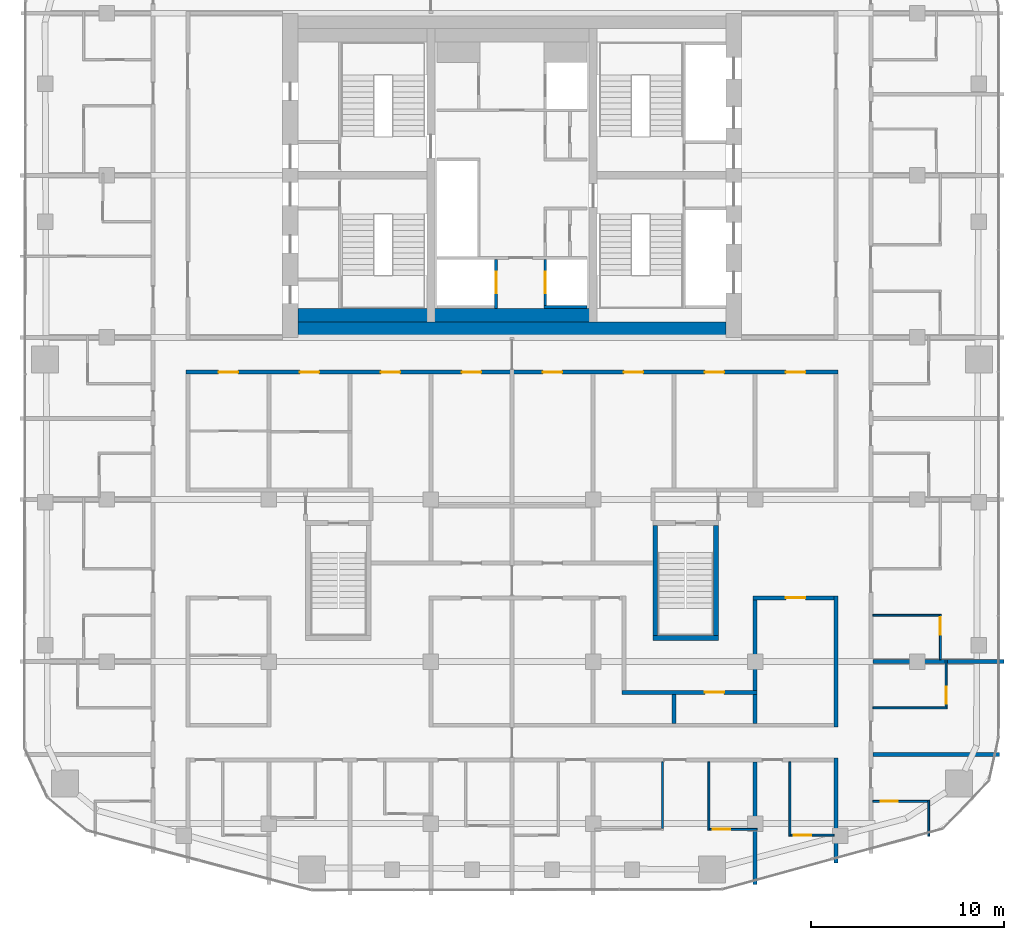
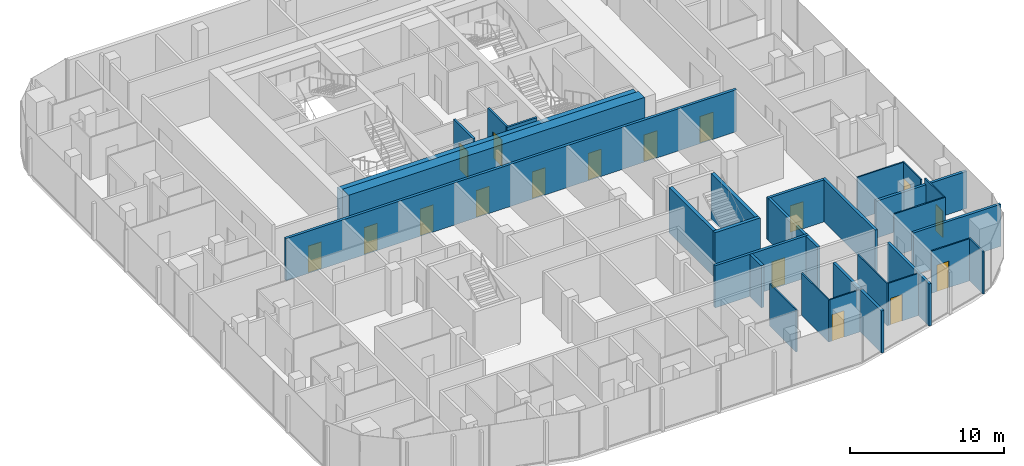
# One storey, part 16 of 22: 30 walls, 17 doors, 17 openings.
"""IFC4 building model written with IfcOpenShell, lengths in metres."""

from ifc_helpers import new_model, si_unit, direction, frame, frame_2d, origin, place, context, subcontext, project, spatial, rectangle, extrude, material, layer, layer_set, type_object, element, fill, save


model = new_model("IFC4")

# Units and contexts
model_context = context("Model", 3, precision=1e-05, world=origin(), true_north=direction((0.0, 1.0)))
body_context = subcontext(model_context, "Body", "Model", "MODEL_VIEW")
ifc_project = project(units=[si_unit("LENGTHUNIT", "METRE"), si_unit("AREAUNIT", "SQUARE_METRE"), si_unit("VOLUMEUNIT", "CUBIC_METRE"), si_unit("PLANEANGLEUNIT", "RADIAN"), si_unit("MASSUNIT", "GRAM", prefix="KILO")], contexts=[model_context])

# Site, building, storey
site_placement = place(None, origin())
site = spatial("IfcSite", under=ifc_project, at=site_placement, CompositionType="ELEMENT")
building_placement = place(site_placement, origin())
building = spatial("IfcBuilding", under=site, at=building_placement, Name="Marenta Gate Hotel Tower", CompositionType="ELEMENT")
storey_placement = place(building_placement, frame((0.0, 0.0, 209.300048828125)))
storey = spatial("IfcBuildingStorey", under=building, at=storey_placement, Name="L48", CompositionType="ELEMENT", Elevation=209.300048828125)

# Wall
ifc_material_1 = material(Name="Concrete C40", Category="concrete")
ifc_layer_1 = layer(ifc_material_1, 0.699951171875)
ifc_layer_set_1 = layer_set([ifc_layer_1], Name="Concrete C40")
wall_type_1 = type_object("IfcWallType", Name="Core lining wall 700 REI 180", PredefinedType="PARTITIONING", material=ifc_layer_set_1)
wall_1_placement = place(storey_placement, frame((-11.10009765625, 1.14990234375, 0.0), z_axis=(0.0, 0.0, 1.0), x_axis=(1.0, 0.0, 0.0)))
element("IfcWall", 1, at=wall_1_placement, inside=storey, type_object=wall_type_1, Name="L48-CP-LN-S", PredefinedType="PARTITIONING", context=body_context, shape_type="SweptSolid", body=[
    extrude(rectangle(XDim=22.2001953125, YDim=0.699951171875, at=frame_2d((11.10009765625, 0.0))), origin(), (0.0, 0.0, 1.0), 3.33984375),
])

# Wall, opening, door
ifc_material_2 = material(Name="Concrete C40", Category="concrete")
ifc_layer_2 = layer(ifc_material_2, 0.14990234375)
ifc_layer_set_2 = layer_set([ifc_layer_2], Name="Concrete C40")
wall_type_2 = type_object("IfcWallType", Name="Core shaft wall 150 REI 180", PredefinedType="SHEAR", material=ifc_layer_set_2)
wall_2_placement = place(storey_placement, frame((-0.824951171875, 1.5, 0.0), z_axis=(0.0, 0.0, 1.0), x_axis=(0.0, 1.0, 0.0)))
wall_2 = element("IfcWall", 2, at=wall_2_placement, inside=storey, type_object=wall_type_2, Name="L48-SHF-CW-W-ff", PredefinedType="SHEAR", context=body_context, shape_type="SweptSolid", body=[
    extrude(rectangle(XDim=2.550048828125, YDim=0.14990234375, at=frame_2d((1.27490234375, 0.0))), origin(), (0.0, 0.0, 1.0), 3.599853515625),
])
opening_1_placement = place(wall_2_placement, frame((0.800048828125, 0.0, 0.0)))
opening_1 = element("IfcOpeningElement", 3, at=opening_1_placement, cuts=wall_2, Name="Opening LD-FF1", PredefinedType="OPENING", context=body_context, shape_type="SweptSolid", body=[
    extrude(rectangle(XDim=1.10009765625, YDim=2.10009765625, at=frame_2d((0.550048828125, 1.050048828125))), frame((0.0, 0.074951171875, 0.0), z_axis=(0.0, -1.0, 0.0), x_axis=(1.0, 0.0, 0.0)), (0.0, 0.0, 1.0), 0.14990234375),
])
ifc_material_3 = material(Name="Steel", Category="steel")
door_type_1 = type_object("IfcDoorType", Name="Core lift landing door 1100x2100 E 60", OperationType="SLIDING_TO_LEFT", PredefinedType="DOOR", material=ifc_material_3)
door_1_placement = place(opening_1_placement, origin())
door_1 = element("IfcDoor", 4, at=door_1_placement, inside=storey, type_object=door_type_1, Name="LD-FF1", OperationType="SLIDING_TO_LEFT", OverallHeight=2.10009765625, OverallWidth=1.10009765625, PredefinedType="DOOR", context=body_context, shape_type="SweptSolid", body=[
    extrude(rectangle(XDim=1.10009765625, YDim=2.10009765625, at=frame_2d((0.550048828125, 1.050048828125))), frame((0.0, 0.02490234375, 0.0), z_axis=(0.0, -1.0, 0.0), x_axis=(1.0, 0.0, 0.0)), (0.0, 0.0, 1.0), 0.050048828125),
])
fill(opening_1, door_1)

wall_3_placement = place(storey_placement, frame((1.72509765625, 1.64990234375, 0.0), z_axis=(0.0, 0.0, 1.0), x_axis=(0.0, 1.0, 0.0)))
wall_3 = element("IfcWall", 5, at=wall_3_placement, inside=storey, type_object=wall_type_2, Name="L48-SHF-CE-S-ls", PredefinedType="SHEAR", context=body_context, shape_type="SweptSolid", body=[
    extrude(rectangle(XDim=2.400146484375, YDim=0.14990234375, at=frame_2d((1.2001953125, 0.0))), origin(), (0.0, 0.0, 1.0), 3.599853515625),
])
opening_2_placement = place(wall_3_placement, frame((0.64990234375, 0.0, 0.0)))
opening_2 = element("IfcOpeningElement", 6, at=opening_2_placement, cuts=wall_3, Name="Opening LD-SV1", PredefinedType="OPENING", context=body_context, shape_type="SweptSolid", body=[
    extrude(rectangle(XDim=1.10009765625, YDim=2.10009765625, at=frame_2d((0.550048828125, 1.050048828125))), frame((0.0, 0.074951171875, 0.0), z_axis=(0.0, -1.0, 0.0), x_axis=(1.0, 0.0, 0.0)), (0.0, 0.0, 1.0), 0.14990234375),
])
door_2_placement = place(opening_2_placement, origin())
door_2 = element("IfcDoor", 7, at=door_2_placement, inside=storey, type_object=door_type_1, Name="LD-SV1", OperationType="SLIDING_TO_LEFT", OverallHeight=2.10009765625, OverallWidth=1.10009765625, PredefinedType="DOOR", context=body_context, shape_type="SweptSolid", body=[
    extrude(rectangle(XDim=1.10009765625, YDim=2.10009765625, at=frame_2d((0.550048828125, 1.050048828125))), frame((0.0, 0.02490234375, 0.0), z_axis=(0.0, -1.0, 0.0), x_axis=(1.0, 0.0, 0.0)), (0.0, 0.0, 1.0), 0.050048828125),
])
fill(opening_2, door_2)

# Walls
wall_4_placement = place(storey_placement, frame((1.64990234375, 1.574951171875, 0.0), z_axis=(0.0, 0.0, 1.0), x_axis=(1.0, 0.0, 0.0)))
element("IfcWall", 8, at=wall_4_placement, inside=storey, type_object=wall_type_2, Name="L48-SHF-CE-S-bot", PredefinedType="SHEAR", context=body_context, shape_type="SweptSolid", body=[
    extrude(rectangle(XDim=2.25, YDim=0.14990234375, at=frame_2d((1.125, 0.0))), origin(), (0.0, 0.0, 1.0), 3.599853515625),
])
ifc_material_4 = material(Name="Concrete C60", Category="concrete")
ifc_layer_3 = layer(ifc_material_4, 0.800048828125)
ifc_layer_set_3 = layer_set([ifc_layer_3], Name="Concrete C60")
wall_type_3 = type_object("IfcWallType", Name="Core wall 800 C60", PredefinedType="SHEAR", material=ifc_layer_set_3)
wall_5_placement = place(storey_placement, frame((-11.10009765625, 0.39990234375, 0.0), z_axis=(0.0, 0.0, 1.0), x_axis=(1.0, 0.0, 0.0)))
element("IfcWall", 9, at=wall_5_placement, inside=storey, type_object=wall_type_3, Name="L48-CORE-S", PredefinedType="SHEAR", context=body_context, shape_type="SweptSolid", body=[
    extrude(rectangle(XDim=22.2001953125, YDim=0.800048828125, at=frame_2d((11.10009765625, 0.0))), origin(), (0.0, 0.0, 1.0), 3.599853515625),
])
ifc_material_5 = material(Name="Concrete C40", Category="concrete")
ifc_layer_4 = layer(ifc_material_5, 0.25)
ifc_layer_set_4 = layer_set([ifc_layer_4], Name="Concrete C40")
wall_type_4 = type_object("IfcWallType", Name="Remote stair enclosure wall 250 REI 180", PredefinedType="SHEAR", material=ifc_layer_set_4)
wall_6_placement = place(storey_placement, frame((7.300048828125, -15.574951171875, 0.099853515625), z_axis=(0.0, 0.0, 1.0), x_axis=(1.0, 0.0, 0.0)))
element("IfcWall", 10, at=wall_6_placement, inside=storey, type_object=wall_type_4, Name="L48-RS-Z3-2-W1", PredefinedType="SHEAR", context=body_context, shape_type="SweptSolid", body=[
    extrude(rectangle(XDim=3.39990234375, YDim=0.25, at=frame_2d((1.699951171875, 0.0))), origin(), (0.0, 0.0, 1.0), 3.60009765625),
])
for number, where, z_axis, x_axis, name in (
    (11, (7.425048828125, -15.449951171875, 0.099853515625), (0.0, 0.0, 1.0), (0.0, 1.0, 0.0), "L48-RS-Z3-2-W3"),
    (12, (10.574951171875, -15.449951171875, 0.099853515625), (0.0, 0.0, 1.0), (0.0, 1.0, 0.0), "L48-RS-Z3-2-W4"),
):
    element("IfcWall", number, at=place(storey_placement, frame(where, z_axis=z_axis, x_axis=x_axis)), inside=storey, type_object=wall_type_4, Name=name, PredefinedType="SHEAR", context=body_context, shape_type="SweptSolid", body=[
        extrude(rectangle(XDim=5.699951171875, YDim=0.25, at=frame_2d((2.85009765625, 0.0))), origin(), (0.0, 0.0, 1.0), 3.60009765625),
    ])

# Wall, openings, doors
ifc_material_6 = material(Name="Concrete blockwork", Category="masonry")
ifc_layer_5 = layer(ifc_material_6, 0.199951171875)
ifc_layer_set_5 = layer_set([ifc_layer_5], Name="Concrete blockwork")
wall_type_5 = type_object("IfcWallType", Name="Room corridor wall 200 EI 120", PredefinedType="PARTITIONING", material=ifc_layer_set_5)
wall_7_placement = place(storey_placement, frame((-16.89990234375, -1.800048828125, 0.0), z_axis=(0.0, 0.0, 1.0), x_axis=(1.0, 0.0, 0.0)))
wall_7 = element("IfcWall", 13, at=wall_7_placement, inside=storey, type_object=wall_type_5, Name="L48-PTN-W079", PredefinedType="PARTITIONING", context=body_context, shape_type="SweptSolid", body=[
    extrude(rectangle(XDim=33.7998046875, YDim=0.199951171875, at=frame_2d((16.89990234375, 0.0))), origin(), (0.0, 0.0, 1.0), 3.33984375),
])
opening_3_placement = place(wall_7_placement, frame((1.699951171875, 0.0, 0.0)))
opening_3 = element("IfcOpeningElement", 14, at=opening_3_placement, cuts=wall_7, Name="Opening G17-01", PredefinedType="OPENING", context=body_context, shape_type="SweptSolid", body=[
    extrude(rectangle(XDim=1.0, YDim=2.10009765625, at=frame_2d((0.5, 1.050048828125))), frame((0.0, 0.10009765625, 0.0), z_axis=(0.0, -1.0, 0.0), x_axis=(1.0, 0.0, 0.0)), (0.0, 0.0, 1.0), 0.199951171875),
])
opening_4_placement = place(wall_7_placement, frame((5.89990234375, 0.0, 0.0)))
opening_4 = element("IfcOpeningElement", 15, at=opening_4_placement, cuts=wall_7, Name="Opening G17-03", PredefinedType="OPENING", context=body_context, shape_type="SweptSolid", body=[
    extrude(rectangle(XDim=1.0, YDim=2.10009765625, at=frame_2d((0.5, 1.050048828125))), frame((0.0, 0.10009765625, 0.0), z_axis=(0.0, -1.0, 0.0), x_axis=(1.0, 0.0, 0.0)), (0.0, 0.0, 1.0), 0.199951171875),
])
opening_5_placement = place(wall_7_placement, frame((10.10009765625, 0.0, 0.0)))
opening_5 = element("IfcOpeningElement", 16, at=opening_5_placement, cuts=wall_7, Name="Opening G17-05", PredefinedType="OPENING", context=body_context, shape_type="SweptSolid", body=[
    extrude(rectangle(XDim=1.0, YDim=2.10009765625, at=frame_2d((0.5, 1.050048828125))), frame((0.0, 0.10009765625, 0.0), z_axis=(0.0, -1.0, 0.0), x_axis=(1.0, 0.0, 0.0)), (0.0, 0.0, 1.0), 0.199951171875),
])
opening_6_placement = place(wall_7_placement, frame((22.699951171875, 0.0, 0.0)))
opening_6 = element("IfcOpeningElement", 17, at=opening_6_placement, cuts=wall_7, Name="Opening G17-06", PredefinedType="OPENING", context=body_context, shape_type="SweptSolid", body=[
    extrude(rectangle(XDim=1.0, YDim=2.10009765625, at=frame_2d((0.5, 1.050048828125))), frame((0.0, 0.10009765625, 0.0), z_axis=(0.0, -1.0, 0.0), x_axis=(1.0, 0.0, 0.0)), (0.0, 0.0, 1.0), 0.199951171875),
])
opening_7_placement = place(wall_7_placement, frame((26.89990234375, 0.0, 0.0)))
opening_7 = element("IfcOpeningElement", 18, at=opening_7_placement, cuts=wall_7, Name="Opening G17-07", PredefinedType="OPENING", context=body_context, shape_type="SweptSolid", body=[
    extrude(rectangle(XDim=1.0, YDim=2.10009765625, at=frame_2d((0.5, 1.050048828125))), frame((0.0, 0.10009765625, 0.0), z_axis=(0.0, -1.0, 0.0), x_axis=(1.0, 0.0, 0.0)), (0.0, 0.0, 1.0), 0.199951171875),
])
opening_8_placement = place(wall_7_placement, frame((31.10009765625, 0.0, 0.0)))
opening_8 = element("IfcOpeningElement", 19, at=opening_8_placement, cuts=wall_7, Name="Opening G17-08", PredefinedType="OPENING", context=body_context, shape_type="SweptSolid", body=[
    extrude(rectangle(XDim=1.0, YDim=2.10009765625, at=frame_2d((0.5, 1.050048828125))), frame((0.0, 0.10009765625, 0.0), z_axis=(0.0, -1.0, 0.0), x_axis=(1.0, 0.0, 0.0)), (0.0, 0.0, 1.0), 0.199951171875),
])
opening_9_placement = place(wall_7_placement, frame((14.300048828125, 0.0, 0.0)))
opening_9 = element("IfcOpeningElement", 20, at=opening_9_placement, cuts=wall_7, Name="Opening G17-78", PredefinedType="OPENING", context=body_context, shape_type="SweptSolid", body=[
    extrude(rectangle(XDim=1.0, YDim=2.10009765625, at=frame_2d((0.5, 1.050048828125))), frame((0.0, 0.10009765625, 0.0), z_axis=(0.0, -1.0, 0.0), x_axis=(1.0, 0.0, 0.0)), (0.0, 0.0, 1.0), 0.199951171875),
])
opening_10_placement = place(wall_7_placement, frame((18.5, 0.0, 0.0)))
opening_10 = element("IfcOpeningElement", 21, at=opening_10_placement, cuts=wall_7, Name="Opening G17-80", PredefinedType="OPENING", context=body_context, shape_type="SweptSolid", body=[
    extrude(rectangle(XDim=1.0, YDim=2.10009765625, at=frame_2d((0.5, 1.050048828125))), frame((0.0, 0.10009765625, 0.0), z_axis=(0.0, -1.0, 0.0), x_axis=(1.0, 0.0, 0.0)), (0.0, 0.0, 1.0), 0.199951171875),
])
ifc_material_7 = material(Name="Timber door leaf", Category="wood")
door_type_2 = type_object("IfcDoorType", Name="Room amenity door 1000x2100 EI 60", OperationType="NOTDEFINED", PredefinedType="DOOR", material=ifc_material_7)
door_3_placement = place(opening_5_placement, origin())
door_3 = element("IfcDoor", 22, at=door_3_placement, inside=storey, type_object=door_type_2, Name="L48-PD-D005", OperationType="SINGLE_SWING_RIGHT", OverallHeight=2.10009765625, OverallWidth=1.0, PredefinedType="DOOR", context=body_context, shape_type="SweptSolid", body=[
    extrude(rectangle(XDim=1.0, YDim=2.10009765625, at=frame_2d((0.5, 1.050048828125))), frame((0.0, 0.02490234375, 0.0), z_axis=(0.0, -1.0, 0.0), x_axis=(1.0, 0.0, 0.0)), (0.0, 0.0, 1.0), 0.050048828125),
])
fill(opening_5, door_3)
door_4_placement = place(opening_6_placement, origin())
door_4 = element("IfcDoor", 23, at=door_4_placement, inside=storey, type_object=door_type_2, Name="L48-PD-D006", OperationType="SINGLE_SWING_LEFT", OverallHeight=2.10009765625, OverallWidth=1.0, PredefinedType="DOOR", context=body_context, shape_type="SweptSolid", body=[
    extrude(rectangle(XDim=1.0, YDim=2.10009765625, at=frame_2d((0.5, 1.050048828125))), frame((0.0, 0.02490234375, 0.0), z_axis=(0.0, -1.0, 0.0), x_axis=(1.0, 0.0, 0.0)), (0.0, 0.0, 1.0), 0.050048828125),
])
fill(opening_6, door_4)
door_5_placement = place(opening_7_placement, origin())
door_5 = element("IfcDoor", 24, at=door_5_placement, inside=storey, type_object=door_type_2, Name="L48-PD-D007", OperationType="SINGLE_SWING_RIGHT", OverallHeight=2.10009765625, OverallWidth=1.0, PredefinedType="DOOR", context=body_context, shape_type="SweptSolid", body=[
    extrude(rectangle(XDim=1.0, YDim=2.10009765625, at=frame_2d((0.5, 1.050048828125))), frame((0.0, 0.02490234375, 0.0), z_axis=(0.0, -1.0, 0.0), x_axis=(1.0, 0.0, 0.0)), (0.0, 0.0, 1.0), 0.050048828125),
])
fill(opening_7, door_5)
door_6_placement = place(opening_8_placement, origin())
door_6 = element("IfcDoor", 25, at=door_6_placement, inside=storey, type_object=door_type_2, Name="L48-PD-D008", OperationType="SINGLE_SWING_LEFT", OverallHeight=2.10009765625, OverallWidth=1.0, PredefinedType="DOOR", context=body_context, shape_type="SweptSolid", body=[
    extrude(rectangle(XDim=1.0, YDim=2.10009765625, at=frame_2d((0.5, 1.050048828125))), frame((0.0, 0.02490234375, 0.0), z_axis=(0.0, -1.0, 0.0), x_axis=(1.0, 0.0, 0.0)), (0.0, 0.0, 1.0), 0.050048828125),
])
fill(opening_8, door_6)
door_7_placement = place(opening_9_placement, origin())
door_7 = element("IfcDoor", 26, at=door_7_placement, inside=storey, type_object=door_type_2, Name="L48-PD-D078", OperationType="SINGLE_SWING_LEFT", OverallHeight=2.10009765625, OverallWidth=1.0, PredefinedType="DOOR", context=body_context, shape_type="SweptSolid", body=[
    extrude(rectangle(XDim=1.0, YDim=2.10009765625, at=frame_2d((0.5, 1.050048828125))), frame((0.0, 0.02490234375, 0.0), z_axis=(0.0, -1.0, 0.0), x_axis=(1.0, 0.0, 0.0)), (0.0, 0.0, 1.0), 0.050048828125),
])
fill(opening_9, door_7)
door_8_placement = place(opening_10_placement, origin())
door_8 = element("IfcDoor", 27, at=door_8_placement, inside=storey, type_object=door_type_2, Name="L48-PD-D080", OperationType="SINGLE_SWING_LEFT", OverallHeight=2.10009765625, OverallWidth=1.0, PredefinedType="DOOR", context=body_context, shape_type="SweptSolid", body=[
    extrude(rectangle(XDim=1.0, YDim=2.10009765625, at=frame_2d((0.5, 1.050048828125))), frame((0.0, 0.02490234375, 0.0), z_axis=(0.0, -1.0, 0.0), x_axis=(1.0, 0.0, 0.0)), (0.0, 0.0, 1.0), 0.050048828125),
])
fill(opening_10, door_8)
ifc_material_8 = material(Name="Hollow steel door set", Category="steel")
door_type_3 = type_object("IfcDoorType", Name="Room service door 1000x2100 EI 60", OperationType="NOTDEFINED", PredefinedType="DOOR", material=ifc_material_8)
door_9_placement = place(opening_3_placement, origin())
door_9 = element("IfcDoor", 28, at=door_9_placement, inside=storey, type_object=door_type_3, Name="L48-PD-D001", OperationType="SINGLE_SWING_LEFT", OverallHeight=2.10009765625, OverallWidth=1.0, PredefinedType="DOOR", context=body_context, shape_type="SweptSolid", body=[
    extrude(rectangle(XDim=1.0, YDim=2.10009765625, at=frame_2d((0.5, 1.050048828125))), frame((0.0, 0.02490234375, 0.0), z_axis=(0.0, -1.0, 0.0), x_axis=(1.0, 0.0, 0.0)), (0.0, 0.0, 1.0), 0.050048828125),
])
fill(opening_3, door_9)
door_10_placement = place(opening_4_placement, origin())
door_10 = element("IfcDoor", 29, at=door_10_placement, inside=storey, type_object=door_type_3, Name="L48-PD-D003", OperationType="SINGLE_SWING_LEFT", OverallHeight=2.10009765625, OverallWidth=1.0, PredefinedType="DOOR", context=body_context, shape_type="SweptSolid", body=[
    extrude(rectangle(XDim=1.0, YDim=2.10009765625, at=frame_2d((0.5, 1.050048828125))), frame((0.0, 0.02490234375, 0.0), z_axis=(0.0, -1.0, 0.0), x_axis=(1.0, 0.0, 0.0)), (0.0, 0.0, 1.0), 0.050048828125),
])
fill(opening_4, door_10)

# Wall, opening, door
ifc_material_9 = material(Name="Gypsum board on steel stud", Category="steel")
ifc_layer_6 = layer(ifc_material_9, 0.199951171875)
ifc_layer_set_6 = layer_set([ifc_layer_6], Name="Gypsum board on steel stud")
wall_type_6 = type_object("IfcWallType", Name="Room corridor wall 200 EI 60", PredefinedType="PARTITIONING", material=ifc_layer_set_6)
wall_8_placement = place(storey_placement, frame((5.699951171875, -18.39990234375, 0.0), z_axis=(0.0, 0.0, 1.0), x_axis=(1.0, 0.0, 0.0)))
wall_8 = element("IfcWall", 30, at=wall_8_placement, inside=storey, type_object=wall_type_6, Name="L48-PTN-W030", PredefinedType="PARTITIONING", context=body_context, shape_type="SweptSolid", body=[
    extrude(rectangle(XDim=7.0, YDim=0.199951171875, at=frame_2d((3.5, 0.0))), origin(), (0.0, 0.0, 1.0), 3.33984375),
])
opening_11_placement = place(wall_8_placement, frame((4.300048828125, 0.0, 0.0)))
opening_11 = element("IfcOpeningElement", 31, at=opening_11_placement, cuts=wall_8, Name="Opening G17-14", PredefinedType="OPENING", context=body_context, shape_type="SweptSolid", body=[
    extrude(rectangle(XDim=1.0, YDim=2.10009765625, at=frame_2d((0.5, 1.050048828125))), frame((0.0, 0.10009765625, 0.0), z_axis=(0.0, -1.0, 0.0), x_axis=(1.0, 0.0, 0.0)), (0.0, 0.0, 1.0), 0.199951171875),
])
ifc_material_10 = material(Name="Timber door leaf", Category="wood")
door_type_4 = type_object("IfcDoorType", Name="Room amenity door 1000x2100 EI 30", OperationType="NOTDEFINED", PredefinedType="DOOR", material=ifc_material_10)
door_11_placement = place(opening_11_placement, origin())
door_11 = element("IfcDoor", 32, at=door_11_placement, inside=storey, type_object=door_type_4, Name="L48-PD-D014", OperationType="SINGLE_SWING_LEFT", OverallHeight=2.10009765625, OverallWidth=1.0, PredefinedType="DOOR", context=body_context, shape_type="SweptSolid", body=[
    extrude(rectangle(XDim=1.0, YDim=2.10009765625, at=frame_2d((0.5, 1.050048828125))), frame((0.0, 0.02490234375, 0.0), z_axis=(0.0, -1.0, 0.0), x_axis=(1.0, 0.0, 0.0)), (0.0, 0.0, 1.0), 0.050048828125),
])
fill(opening_11, door_11)

# Walls
wall_9_placement = place(storey_placement, frame((16.800048828125, -27.22900390625, 0.0), z_axis=(0.0, 0.0, 1.0), x_axis=(0.0, 1.0, 0.0)))
element("IfcWall", 33, at=wall_9_placement, inside=storey, type_object=wall_type_6, Name="L48-PTN-W031", PredefinedType="PARTITIONING", context=body_context, shape_type="SweptSolid", body=[
    extrude(rectangle(XDim=5.428955078125, YDim=0.199951171875, at=frame_2d((2.71435546875, 0.0))), origin(), (0.0, 0.0, 1.0), 3.33984375),
])
wall_10_placement = place(storey_placement, frame((16.800048828125, -20.199951171875, 0.0), z_axis=(0.0, 0.0, 1.0), x_axis=(0.0, 1.0, 0.0)))
element("IfcWall", 34, at=wall_10_placement, inside=storey, type_object=wall_type_6, Name="L48-PTN-W032", PredefinedType="PARTITIONING", context=body_context, shape_type="SweptSolid", body=[
    extrude(rectangle(XDim=6.800048828125, YDim=0.199951171875, at=frame_2d((3.39990234375, 0.0))), origin(), (0.0, 0.0, 1.0), 3.33984375),
])

# Wall, opening, door
wall_11_placement = place(storey_placement, frame((12.5, -13.5, 0.0), z_axis=(0.0, 0.0, 1.0), x_axis=(1.0, 0.0, 0.0)))
wall_11 = element("IfcWall", 35, at=wall_11_placement, inside=storey, type_object=wall_type_6, Name="L48-PTN-W043", PredefinedType="PARTITIONING", context=body_context, shape_type="SweptSolid", body=[
    extrude(rectangle(XDim=4.199951171875, YDim=0.199951171875, at=frame_2d((2.10009765625, 0.0))), origin(), (0.0, 0.0, 1.0), 3.33984375),
])
opening_12_placement = place(wall_11_placement, frame((1.699951171875, 0.0, 0.0)))
opening_12 = element("IfcOpeningElement", 36, at=opening_12_placement, cuts=wall_11, Name="Opening G17-15", PredefinedType="OPENING", context=body_context, shape_type="SweptSolid", body=[
    extrude(rectangle(XDim=1.0, YDim=2.10009765625, at=frame_2d((0.5, 1.050048828125))), frame((0.0, 0.10009765625, 0.0), z_axis=(0.0, -1.0, 0.0), x_axis=(1.0, 0.0, 0.0)), (0.0, 0.0, 1.0), 0.199951171875),
])
door_12_placement = place(opening_12_placement, origin())
door_12 = element("IfcDoor", 37, at=door_12_placement, inside=storey, type_object=door_type_4, Name="L48-PD-D015", OperationType="SINGLE_SWING_LEFT", OverallHeight=2.10009765625, OverallWidth=1.0, PredefinedType="DOOR", context=body_context, shape_type="SweptSolid", body=[
    extrude(rectangle(XDim=1.0, YDim=2.10009765625, at=frame_2d((0.5, 1.050048828125))), frame((0.0, 0.02490234375, 0.0), z_axis=(0.0, -1.0, 0.0), x_axis=(1.0, 0.0, 0.0)), (0.0, 0.0, 1.0), 0.050048828125),
])
fill(opening_12, door_12)

# Wall
wall_12_placement = place(storey_placement, frame((12.60009765625, -18.300048828125, 0.0), z_axis=(0.0, 0.0, 1.0), x_axis=(0.0, 1.0, 0.0)))
element("IfcWall", 38, at=wall_12_placement, inside=storey, type_object=wall_type_6, Name="L48-PTN-W048", PredefinedType="PARTITIONING", context=body_context, shape_type="SweptSolid", body=[
    extrude(rectangle(XDim=4.699951171875, YDim=0.199951171875, at=frame_2d((2.35009765625, 0.0))), origin(), (0.0, 0.0, 1.0), 3.33984375),
])

# Wall, opening, door
ifc_material_11 = material(Name="Gypsum board on steel stud", Category="steel")
ifc_layer_7 = layer(ifc_material_11, 0.10009765625)
ifc_layer_set_7 = layer_set([ifc_layer_7], Name="Gypsum board on steel stud")
wall_type_7 = type_object("IfcWallType", Name="Room partition 100", PredefinedType="PARTITIONING", material=ifc_layer_set_7)
wall_13_placement = place(storey_placement, frame((14.449951171875, -25.800048828125, 0.0), z_axis=(0.0, 0.0, 1.0), x_axis=(1.0, 0.0, 0.0)))
wall_13 = element("IfcWall", 39, at=wall_13_placement, inside=storey, type_object=wall_type_7, Name="L48-PTN-W003", PredefinedType="PARTITIONING", context=body_context, shape_type="SweptSolid", body=[
    extrude(rectangle(XDim=2.25, YDim=0.10009765625, at=frame_2d((1.125, 0.0))), origin(), (0.0, 0.0, 1.0), 3.33984375),
])
opening_13_placement = place(wall_13_placement, frame((0.14990234375, 0.0, 0.0)))
opening_13 = element("IfcOpeningElement", 40, at=opening_13_placement, cuts=wall_13, Name="Opening G17-55", PredefinedType="OPENING", context=body_context, shape_type="SweptSolid", body=[
    extrude(rectangle(XDim=0.89990234375, YDim=2.10009765625, at=frame_2d((0.449951171875, 1.050048828125))), frame((0.0, 0.050048828125, 0.0), z_axis=(0.0, -1.0, 0.0), x_axis=(1.0, 0.0, 0.0)), (0.0, 0.0, 1.0), 0.10009765625),
])
ifc_material_12 = material(Name="Timber door leaf", Category="wood")
door_type_5 = type_object("IfcDoorType", Name="Guest bathroom door 900x2100", OperationType="NOTDEFINED", PredefinedType="DOOR", material=ifc_material_12)
door_13_placement = place(opening_13_placement, origin())
door_13 = element("IfcDoor", 41, at=door_13_placement, inside=storey, type_object=door_type_5, Name="L48-PD-D055", OperationType="SINGLE_SWING_LEFT", OverallHeight=2.10009765625, OverallWidth=0.89990234375, PredefinedType="DOOR", context=body_context, shape_type="SweptSolid", body=[
    extrude(rectangle(XDim=0.89990234375, YDim=2.10009765625, at=frame_2d((0.449951171875, 1.050048828125))), frame((0.0, 0.02490234375, 0.0), z_axis=(0.0, -1.0, 0.0), x_axis=(1.0, 0.0, 0.0)), (0.0, 0.0, 1.0), 0.050048828125),
])
fill(opening_13, door_13)

wall_14_placement = place(storey_placement, frame((10.25, -25.5, 0.0), z_axis=(0.0, 0.0, 1.0), x_axis=(1.0, 0.0, 0.0)))
wall_14 = element("IfcWall", 42, at=wall_14_placement, inside=storey, type_object=wall_type_7, Name="L48-PTN-W005", PredefinedType="PARTITIONING", context=body_context, shape_type="SweptSolid", body=[
    extrude(rectangle(XDim=2.449951171875, YDim=0.10009765625, at=frame_2d((1.22509765625, 0.0))), origin(), (0.0, 0.0, 1.0), 3.33984375),
])
opening_14_placement = place(wall_14_placement, frame((0.14990234375, 0.0, 0.0)))
opening_14 = element("IfcOpeningElement", 43, at=opening_14_placement, cuts=wall_14, Name="Opening G17-53", PredefinedType="OPENING", context=body_context, shape_type="SweptSolid", body=[
    extrude(rectangle(XDim=0.89990234375, YDim=2.10009765625, at=frame_2d((0.449951171875, 1.050048828125))), frame((0.0, 0.050048828125, 0.0), z_axis=(0.0, -1.0, 0.0), x_axis=(1.0, 0.0, 0.0)), (0.0, 0.0, 1.0), 0.10009765625),
])
ifc_material_13 = material(Name="Timber door leaf", Category="wood")
door_type_6 = type_object("IfcDoorType", Name="Room inner door 900x2100", OperationType="NOTDEFINED", PredefinedType="DOOR", material=ifc_material_13)
door_14_placement = place(opening_14_placement, origin())
door_14 = element("IfcDoor", 44, at=door_14_placement, inside=storey, type_object=door_type_6, Name="L48-PD-D053", OperationType="SINGLE_SWING_LEFT", OverallHeight=2.10009765625, OverallWidth=0.89990234375, PredefinedType="DOOR", context=body_context, shape_type="SweptSolid", body=[
    extrude(rectangle(XDim=0.89990234375, YDim=2.10009765625, at=frame_2d((0.449951171875, 1.050048828125))), frame((0.0, 0.02490234375, 0.0), z_axis=(0.0, -1.0, 0.0), x_axis=(1.0, 0.0, 0.0)), (0.0, 0.0, 1.0), 0.050048828125),
])
fill(opening_14, door_14)

wall_15_placement = place(storey_placement, frame((18.699951171875, -24.051025390625, 0.0), z_axis=(0.0, 0.0, 1.0), x_axis=(1.0, 0.0, 0.0)))
wall_15 = element("IfcWall", 45, at=wall_15_placement, inside=storey, type_object=wall_type_7, Name="L48-PTN-W010", PredefinedType="PARTITIONING", context=body_context, shape_type="SweptSolid", body=[
    extrude(rectangle(XDim=2.85009765625, YDim=0.10009765625, at=frame_2d((1.425048828125, 0.0))), origin(), (0.0, 0.0, 1.0), 3.33984375),
])
opening_15_placement = place(wall_15_placement, frame((0.39990234375, 0.0, 0.0)))
opening_15 = element("IfcOpeningElement", 46, at=opening_15_placement, cuts=wall_15, Name="Opening G17-17", PredefinedType="OPENING", context=body_context, shape_type="SweptSolid", body=[
    extrude(rectangle(XDim=0.89990234375, YDim=2.10009765625, at=frame_2d((0.449951171875, 1.050048828125))), frame((0.0, 0.050048828125, 0.0), z_axis=(0.0, -1.0, 0.0), x_axis=(1.0, 0.0, 0.0)), (0.0, 0.0, 1.0), 0.10009765625),
])
door_15_placement = place(opening_15_placement, origin())
door_15 = element("IfcDoor", 47, at=door_15_placement, inside=storey, type_object=door_type_5, Name="L48-PD-D017", OperationType="SINGLE_SWING_RIGHT", OverallHeight=2.10009765625, OverallWidth=0.89990234375, PredefinedType="DOOR", context=body_context, shape_type="SweptSolid", body=[
    extrude(rectangle(XDim=0.89990234375, YDim=2.10009765625, at=frame_2d((0.449951171875, 1.050048828125))), frame((0.0, 0.02490234375, 0.0), z_axis=(0.0, -1.0, 0.0), x_axis=(1.0, 0.0, 0.0)), (0.0, 0.0, 1.0), 0.050048828125),
])
fill(opening_15, door_15)

wall_16_placement = place(storey_placement, frame((22.5, -19.14990234375, 0.0), z_axis=(0.0, 0.0, 1.0), x_axis=(0.0, 1.0, 0.0)))
wall_16 = element("IfcWall", 48, at=wall_16_placement, inside=storey, type_object=wall_type_7, Name="L48-PTN-W011", PredefinedType="PARTITIONING", context=body_context, shape_type="SweptSolid", body=[
    extrude(rectangle(XDim=2.449951171875, YDim=0.10009765625, at=frame_2d((1.22509765625, 0.0))), origin(), (0.0, 0.0, 1.0), 3.33984375),
])
opening_16_placement = place(wall_16_placement, frame((0.14990234375, 0.0, 0.0)))
opening_16 = element("IfcOpeningElement", 49, at=opening_16_placement, cuts=wall_16, Name="Opening G17-19", PredefinedType="OPENING", context=body_context, shape_type="SweptSolid", body=[
    extrude(rectangle(XDim=0.89990234375, YDim=2.10009765625, at=frame_2d((0.449951171875, 1.050048828125))), frame((0.0, 0.050048828125, 0.0), z_axis=(0.0, -1.0, 0.0), x_axis=(1.0, 0.0, 0.0)), (0.0, 0.0, 1.0), 0.10009765625),
])
door_16_placement = place(opening_16_placement, origin())
door_16 = element("IfcDoor", 50, at=door_16_placement, inside=storey, type_object=door_type_5, Name="L48-PD-D019", OperationType="SINGLE_SWING_LEFT", OverallHeight=2.10009765625, OverallWidth=0.89990234375, PredefinedType="DOOR", context=body_context, shape_type="SweptSolid", body=[
    extrude(rectangle(XDim=0.89990234375, YDim=2.10009765625, at=frame_2d((0.449951171875, 1.050048828125))), frame((0.0, 0.02490234375, 0.0), z_axis=(0.0, -1.0, 0.0), x_axis=(1.0, 0.0, 0.0)), (0.0, 0.0, 1.0), 0.050048828125),
])
fill(opening_16, door_16)

wall_17_placement = place(storey_placement, frame((22.199951171875, -16.699951171875, 0.0), z_axis=(0.0, 0.0, 1.0), x_axis=(0.0, 1.0, 0.0)))
wall_17 = element("IfcWall", 51, at=wall_17_placement, inside=storey, type_object=wall_type_7, Name="L48-PTN-W013", PredefinedType="PARTITIONING", context=body_context, shape_type="SweptSolid", body=[
    extrude(rectangle(XDim=2.349853515625, YDim=0.10009765625, at=frame_2d((1.1748046875, 0.0))), origin(), (0.0, 0.0, 1.0), 3.33984375),
])
opening_17_placement = place(wall_17_placement, frame((1.300048828125, 0.0, 0.0)))
opening_17 = element("IfcOpeningElement", 52, at=opening_17_placement, cuts=wall_17, Name="Opening G17-22", PredefinedType="OPENING", context=body_context, shape_type="SweptSolid", body=[
    extrude(rectangle(XDim=0.89990234375, YDim=2.10009765625, at=frame_2d((0.449951171875, 1.050048828125))), frame((0.0, 0.050048828125, 0.0), z_axis=(0.0, -1.0, 0.0), x_axis=(1.0, 0.0, 0.0)), (0.0, 0.0, 1.0), 0.10009765625),
])
door_17_placement = place(opening_17_placement, origin())
door_17 = element("IfcDoor", 53, at=door_17_placement, inside=storey, type_object=door_type_6, Name="L48-PD-D022", OperationType="SINGLE_SWING_RIGHT", OverallHeight=2.10009765625, OverallWidth=0.89990234375, PredefinedType="DOOR", context=body_context, shape_type="SweptSolid", body=[
    extrude(rectangle(XDim=0.89990234375, YDim=2.10009765625, at=frame_2d((0.449951171875, 1.050048828125))), frame((0.0, 0.02490234375, 0.0), z_axis=(0.0, -1.0, 0.0), x_axis=(1.0, 0.0, 0.0)), (0.0, 0.0, 1.0), 0.050048828125),
])
fill(opening_17, door_17)

# Walls
wall_18_placement = place(storey_placement, frame((21.60009765625, -25.85107421875, 0.0), z_axis=(0.0, 0.0, 1.0), x_axis=(0.0, 1.0, 0.0)))
element("IfcWall", 54, at=wall_18_placement, inside=storey, type_object=wall_type_7, Name="L48-PTN-W022", PredefinedType="PARTITIONING", context=body_context, shape_type="SweptSolid", body=[
    extrude(rectangle(XDim=1.85009765625, YDim=0.10009765625, at=frame_2d((0.925048828125, 0.0))), origin(), (0.0, 0.0, 1.0), 3.33984375),
])
for number, where, z_axis, x_axis, name in (
    (55, (18.699951171875, -19.199951171875, 0.0), (0.0, 0.0, 1.0), (1.0, 0.0, 0.0), "L48-PTN-W028"),
    (56, (14.39990234375, -25.85009765625, 0.0), (0.0, 0.0, 1.0), (0.0, 1.0, 0.0), "L48-PTN-W038"),
):
    element("IfcWall", number, at=place(storey_placement, frame(where, z_axis=z_axis, x_axis=x_axis)), inside=storey, type_object=wall_type_7, Name=name, PredefinedType="PARTITIONING", context=body_context, shape_type="SweptSolid", body=[
        extrude(rectangle(XDim=3.85009765625, YDim=0.10009765625, at=frame_2d((1.925048828125, 0.0))), origin(), (0.0, 0.0, 1.0), 3.33984375),
    ])
wall_19_placement = place(storey_placement, frame((18.699951171875, -14.39990234375, 0.0), z_axis=(0.0, 0.0, 1.0), x_axis=(1.0, 0.0, 0.0)))
element("IfcWall", 57, at=wall_19_placement, inside=storey, type_object=wall_type_7, Name="L48-PTN-W040", PredefinedType="PARTITIONING", context=body_context, shape_type="SweptSolid", body=[
    extrude(rectangle(XDim=3.449951171875, YDim=0.10009765625, at=frame_2d((1.72509765625, 0.0))), origin(), (0.0, 0.0, 1.0), 3.33984375),
])
wall_20_placement = place(storey_placement, frame((10.199951171875, -25.550048828125, 0.0), z_axis=(0.0, 0.0, 1.0), x_axis=(0.0, 1.0, 0.0)))
element("IfcWall", 58, at=wall_20_placement, inside=storey, type_object=wall_type_7, Name="L48-PTN-W053", PredefinedType="PARTITIONING", context=body_context, shape_type="SweptSolid", body=[
    extrude(rectangle(XDim=3.550048828125, YDim=0.10009765625, at=frame_2d((1.77490234375, 0.0))), origin(), (0.0, 0.0, 1.0), 3.33984375),
])
wall_21_placement = place(storey_placement, frame((7.800048828125, -25.449951171875, 0.0), z_axis=(0.0, 0.0, 1.0), x_axis=(0.0, 1.0, 0.0)))
element("IfcWall", 59, at=wall_21_placement, inside=storey, type_object=wall_type_7, Name="L48-PTN-W063", PredefinedType="PARTITIONING", context=body_context, shape_type="SweptSolid", body=[
    extrude(rectangle(XDim=3.449951171875, YDim=0.10009765625, at=frame_2d((1.72509765625, 0.0))), origin(), (0.0, 0.0, 1.0), 3.33984375),
])
ifc_material_14 = material(Name="Gypsum board on steel stud", Category="steel")
ifc_layer_8 = layer(ifc_material_14, 0.199951171875)
ifc_layer_set_8 = layer_set([ifc_layer_8], Name="Gypsum board on steel stud")
wall_type_8 = type_object("IfcWallType", Name="Room party wall 200 EI 60", PredefinedType="PARTITIONING", material=ifc_layer_set_8)
wall_22_placement = place(storey_placement, frame((18.699951171875, -21.625, 0.0), z_axis=(0.0, 0.0, 1.0), x_axis=(1.0, 0.0, 0.0)))
element("IfcWall", 60, at=wall_22_placement, inside=storey, type_object=wall_type_8, Name="L48-PTN-W021", PredefinedType="PARTITIONING", context=body_context, shape_type="SweptSolid", body=[
    extrude(rectangle(XDim=6.575927734375, YDim=0.199951171875, at=frame_2d((3.2880859375, 0.0))), origin(), (0.0, 0.0, 1.0), 3.33984375),
])
wall_23_placement = place(storey_placement, frame((18.699951171875, -16.800048828125, 0.0), z_axis=(0.0, 0.0, 1.0), x_axis=(1.0, 0.0, 0.0)))
element("IfcWall", 61, at=wall_23_placement, inside=storey, type_object=wall_type_8, Name="L48-PTN-W036", PredefinedType="PARTITIONING", context=body_context, shape_type="SweptSolid", body=[
    extrude(rectangle(XDim=6.800048828125, YDim=0.199951171875, at=frame_2d((3.39990234375, 0.0))), origin(), (0.0, 0.0, 1.0), 2.93994140625),
])
wall_24_placement = place(storey_placement, frame((12.60009765625, -28.343017578125, 0.0), z_axis=(0.0, 0.0, 1.0), x_axis=(0.0, 1.0, 0.0)))
element("IfcWall", 62, at=wall_24_placement, inside=storey, type_object=wall_type_8, Name="L48-PTN-W044", PredefinedType="PARTITIONING", context=body_context, shape_type="SweptSolid", body=[
    extrude(rectangle(XDim=6.343017578125, YDim=0.199951171875, at=frame_2d((3.17138671875, 0.0))), origin(), (0.0, 0.0, 1.0), 3.33984375),
])
for number, where, z_axis, x_axis, name in (
    (63, (12.60009765625, -20.0, 0.0), (0.0, 0.0, 1.0), (0.0, 1.0, 0.0), "L48-PTN-W045"),
    (64, (8.39990234375, -20.0, 0.0), (0.0, 0.0, 1.0), (0.0, 1.0, 0.0), "L48-PTN-W055"),
):
    element("IfcWall", number, at=place(storey_placement, frame(where, z_axis=z_axis, x_axis=x_axis)), inside=storey, type_object=wall_type_8, Name=name, PredefinedType="PARTITIONING", context=body_context, shape_type="SweptSolid", body=[
        extrude(rectangle(XDim=1.5, YDim=0.199951171875, at=frame_2d((0.75, 0.0))), origin(), (0.0, 0.0, 1.0), 3.33984375),
    ])

save(model, "model.ifc")
